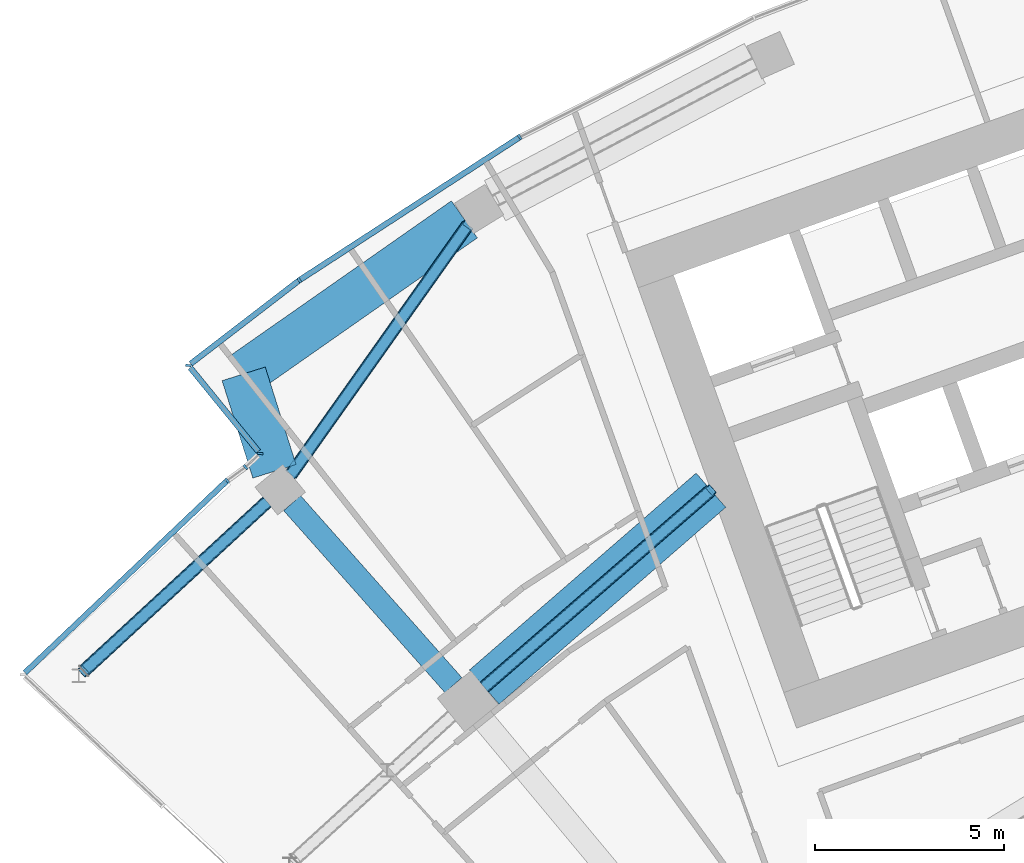
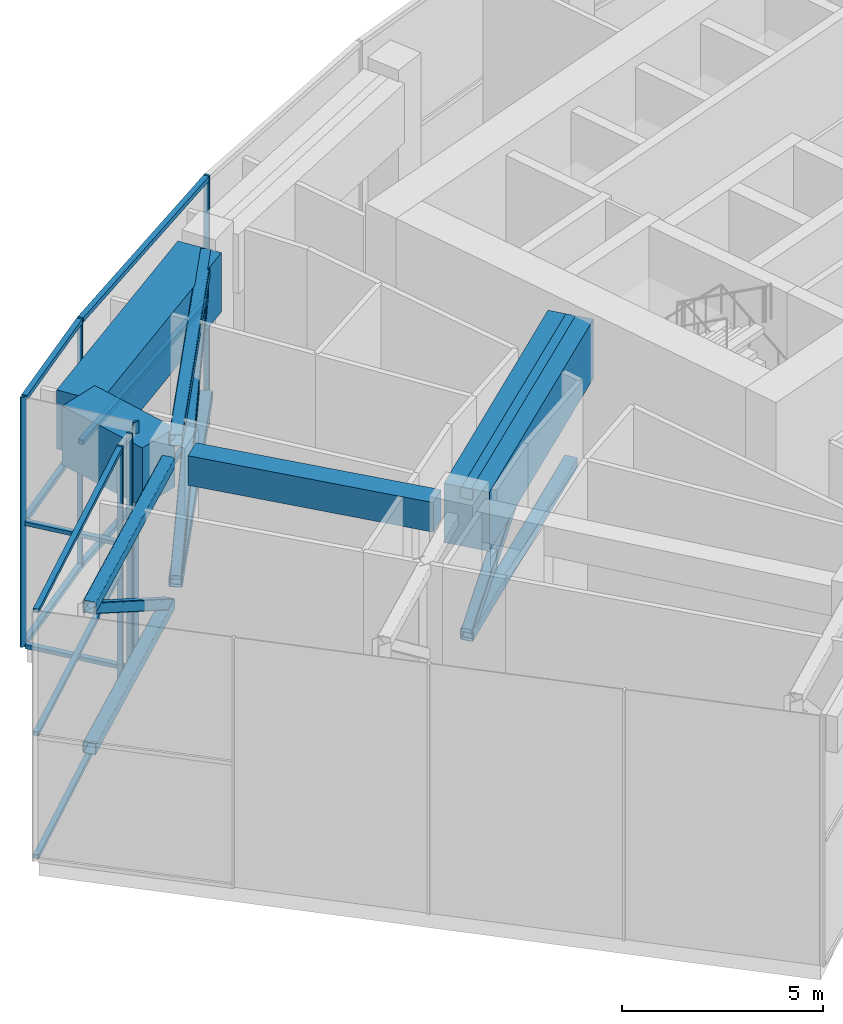
# One storey, part 4 of 26: 26 members, 4 beams, 5 elements without a shape of their own.
"""IFC4 building model written with IfcOpenShell, lengths in metres."""

from ifc_helpers import new_model, si_unit, direction, frame, origin, origin_2d, place, context, subcontext, project, spatial, rectangle, hollow_rectangle, extrude, material, layer, layer_set, material_profile, profile_set, type_object, element, aggregate, save


model = new_model("IFC4")

# Units and contexts
model_context = context("Model", 3, precision=1e-05, world=origin(), true_north=direction((0.0, 1.0)))
body_context = subcontext(model_context, "Body", "Model", "MODEL_VIEW")
ifc_project = project(units=[si_unit("LENGTHUNIT", "METRE"), si_unit("AREAUNIT", "SQUARE_METRE"), si_unit("VOLUMEUNIT", "CUBIC_METRE"), si_unit("PLANEANGLEUNIT", "RADIAN"), si_unit("MASSUNIT", "GRAM", prefix="KILO")], contexts=[model_context])

# Site, building, storey
site_placement = place(None, origin())
site = spatial("IfcSite", under=ifc_project, at=site_placement, CompositionType="ELEMENT")
building_placement = place(site_placement, origin())
building = spatial("IfcBuilding", under=site, at=building_placement, Name="Stone Belt Terrace Tower", CompositionType="ELEMENT")
storey_placement = place(building_placement, frame((0.0, 0.0, 250.39990234375)))
storey = spatial("IfcBuildingStorey", under=building, at=storey_placement, Name="L61", CompositionType="ELEMENT", Elevation=250.39990234375)

# Curtain wall, members
ifc_material_1 = material(Name="Aluminium 6063-T6 anodised frame", Category="aluminium")
ifc_layer_1 = layer(ifc_material_1, 0.14990234375)
ifc_layer_set_1 = layer_set([ifc_layer_1], Name="CW-A unitised convex-face curtain wall")
curtain_wall_type_1 = type_object("IfcCurtainWallType", Name="CW-A unitised convex-face curtain wall", PredefinedType="NOTDEFINED", material=ifc_layer_set_1)
curtain_wall_1_placement = place(storey_placement, origin())
curtain_wall_1 = element("IfcCurtainWall", 1, at=curtain_wall_1_placement, inside=storey, type_object=curtain_wall_type_1, Name="CW-A convex face L61", PredefinedType="NOTDEFINED")
ifc_material_profile_1 = material_profile(ifc_material_1, rectangle(XDim=0.14990234375, YDim=0.06005859375, at=origin_2d()), Name="Aluminium 6063-T6 60x150")
ifc_profile_set_1 = profile_set([ifc_material_profile_1], Name="Aluminium 6063-T6 anodised frame")
member_type_1 = type_object("IfcMemberType", Name="CW-A mullion 60 x 150", PredefinedType="MULLION", material=ifc_profile_set_1)
member_1_placement = place(storey_placement, frame((-33.28759765625, 57.65576171875, 0.0), z_axis=(0.0, 0.0, 1.0), x_axis=(0.5, -0.866025403784, 0.0)))
member_1 = element("IfcMember", 2, at=member_1_placement, type_object=member_type_1, Name="CW-A mullion 14", PredefinedType="MULLION", context=body_context, shape_type="SweptSolid", body=[
    extrude(rectangle(XDim=0.14990234375, YDim=0.06005859375, at=origin_2d()), origin(), (0.0, 0.0, 1.0), 7.60009765625),
])
member_2_placement = place(storey_placement, frame((-39.131103515625, 53.86083984375, 0.0), z_axis=(0.0, 0.0, 1.0), x_axis=(0.577587125789, -0.816329046477, 0.0)))
member_2 = element("IfcMember", 3, at=member_2_placement, type_object=member_type_1, Name="CW-A mullion 15", PredefinedType="MULLION", context=body_context, shape_type="SweptSolid", body=[
    extrude(rectangle(XDim=0.14990234375, YDim=0.06005859375, at=origin_2d()), origin(), (0.0, 0.0, 1.0), 7.60009765625),
])
ifc_material_profile_2 = material_profile(ifc_material_1, rectangle(XDim=0.14990234375, YDim=0.139892578125, at=origin_2d()), Name="Aluminium 6063-T6 150x140")
ifc_profile_set_2 = profile_set([ifc_material_profile_2], Name="Aluminium 6063-T6 anodised frame")
member_type_2 = type_object("IfcMemberType", Name="CW-A transom 140 x 150", PredefinedType="USERDEFINED", material=ifc_profile_set_2)
member_3_placement = place(storey_placement, frame((-33.31591796875, 57.63720703125, 0.070068359375), z_axis=(-0.83868440714, -0.544617723931, 0.0), x_axis=(0.544617723931, -0.83868440714, 0.0)))
member_3 = element("IfcMember", 4, at=member_3_placement, type_object=member_type_2, Name="CW-A transom 14.1", ObjectType="TRANSOM", PredefinedType="USERDEFINED", context=body_context, shape_type="SweptSolid", body=[
    extrude(rectangle(XDim=0.14990234375, YDim=0.139892578125, at=origin_2d()), origin(), (0.0, 0.0, 1.0), 6.90087890625),
])
member_4_placement = place(storey_placement, frame((-33.31591796875, 57.63720703125, 3.800048828125), z_axis=(-0.83868440714, -0.544617723931, 0.0), x_axis=(0.544617723931, -0.83868440714, 0.0)))
member_4 = element("IfcMember", 5, at=member_4_placement, type_object=member_type_2, Name="CW-A transom 14.2", ObjectType="TRANSOM", PredefinedType="USERDEFINED", context=body_context, shape_type="SweptSolid", body=[
    extrude(rectangle(XDim=0.14990234375, YDim=0.139892578125, at=origin_2d()), origin(), (0.0, 0.0, 1.0), 6.90087890625),
])
member_5_placement = place(storey_placement, frame((-33.31591796875, 57.63720703125, 7.530029296875), z_axis=(-0.83868440714, -0.544617723931, 0.0), x_axis=(0.544617723931, -0.83868440714, 0.0)))
member_5 = element("IfcMember", 6, at=member_5_placement, type_object=member_type_2, Name="CW-A transom 14.3", ObjectType="TRANSOM", PredefinedType="USERDEFINED", context=body_context, shape_type="SweptSolid", body=[
    extrude(rectangle(XDim=0.14990234375, YDim=0.139892578125, at=origin_2d()), origin(), (0.0, 0.0, 1.0), 6.90087890625),
])
member_6_placement = place(storey_placement, frame((-39.1572265625, 53.8408203125, 0.070068359375), z_axis=(-0.79269461464, -0.609618936648, 0.0), x_axis=(0.609618936648, -0.79269461464, 0.0)))
member_6 = element("IfcMember", 7, at=member_6_placement, type_object=member_type_2, Name="CW-A transom 15.1", ObjectType="TRANSOM", PredefinedType="USERDEFINED", context=body_context, shape_type="SweptSolid", body=[
    extrude(rectangle(XDim=0.14990234375, YDim=0.139892578125, at=origin_2d()), origin(), (0.0, 0.0, 1.0), 3.597900390625),
])
member_7_placement = place(storey_placement, frame((-39.1572265625, 53.8408203125, 3.800048828125), z_axis=(-0.79269461464, -0.609618936648, 0.0), x_axis=(0.609618936648, -0.79269461464, 0.0)))
member_7 = element("IfcMember", 8, at=member_7_placement, type_object=member_type_2, Name="CW-A transom 15.2", ObjectType="TRANSOM", PredefinedType="USERDEFINED", context=body_context, shape_type="SweptSolid", body=[
    extrude(rectangle(XDim=0.14990234375, YDim=0.139892578125, at=origin_2d()), origin(), (0.0, 0.0, 1.0), 3.597900390625),
])
member_8_placement = place(storey_placement, frame((-39.1572265625, 53.8408203125, 7.530029296875), z_axis=(-0.79269461464, -0.609618936648, 0.0), x_axis=(0.609618936648, -0.79269461464, 0.0)))
member_8 = element("IfcMember", 9, at=member_8_placement, type_object=member_type_2, Name="CW-A transom 15.3", ObjectType="TRANSOM", PredefinedType="USERDEFINED", context=body_context, shape_type="SweptSolid", body=[
    extrude(rectangle(XDim=0.14990234375, YDim=0.139892578125, at=origin_2d()), origin(), (0.0, 0.0, 1.0), 3.597900390625),
])
aggregate(curtain_wall_1, [member_1, member_2, member_3, member_4, member_5, member_6, member_7, member_8])

# Curtain wall, member
ifc_layer_2 = layer(ifc_material_1, 0.14990234375)
ifc_layer_set_2 = layer_set([ifc_layer_2], Name="CW-C stick curtain wall, horn ends and notches")
curtain_wall_type_2 = type_object("IfcCurtainWallType", Name="CW-C stick curtain wall, horn ends and notches", PredefinedType="NOTDEFINED", material=ifc_layer_set_2)
curtain_wall_2_placement = place(storey_placement, origin())
curtain_wall_2 = element("IfcCurtainWall", 10, at=curtain_wall_2_placement, inside=storey, type_object=curtain_wall_type_2, Name="CW-C notch face L61", PredefinedType="NOTDEFINED")
ifc_material_profile_3 = material_profile(ifc_material_1, rectangle(XDim=0.14990234375, YDim=0.06005859375, at=origin_2d()), Name="Aluminium 6063-T6 60x150")
ifc_profile_set_3 = profile_set([ifc_material_profile_3], Name="Aluminium 6063-T6 anodised frame")
member_type_3 = type_object("IfcMemberType", Name="CW-C mullion 60 x 150", PredefinedType="MULLION", material=ifc_profile_set_3)
member_9_placement = place(storey_placement, frame((-42.068359375, 51.60205078125, 0.0), z_axis=(0.0, 0.0, 1.0), x_axis=(0.993258004644, -0.115924700604, 0.0)))
member_9 = element("IfcMember", 11, at=member_9_placement, type_object=member_type_3, Name="CW-C mullion 1", PredefinedType="MULLION", context=body_context, shape_type="SweptSolid", body=[
    extrude(rectangle(XDim=0.14990234375, YDim=0.06005859375, at=origin_2d()), origin(), (0.0, 0.0, 1.0), 7.60009765625),
])

curtain_wall_3_placement = place(storey_placement, origin())
curtain_wall_3 = element("IfcCurtainWall", 12, at=curtain_wall_3_placement, inside=storey, type_object=curtain_wall_type_2, Name="CW-C end face L61", PredefinedType="NOTDEFINED")
member_10_placement = place(storey_placement, frame((-40.1708984375, 49.269287109375, 0.0), z_axis=(0.0, 0.0, 1.0), x_axis=(0.997639702696, -0.068666029474, 0.0)))
member_10 = element("IfcMember", 13, at=member_10_placement, type_object=member_type_3, Name="CW-C mullion 1", PredefinedType="MULLION", context=body_context, shape_type="SweptSolid", body=[
    extrude(rectangle(XDim=0.14990234375, YDim=0.06005859375, at=origin_2d()), origin(), (0.0, 0.0, 1.0), 7.60009765625),
])
aggregate(curtain_wall_3, [member_10])

curtain_wall_4_placement = place(storey_placement, origin())
curtain_wall_4 = element("IfcCurtainWall", 14, at=curtain_wall_4_placement, inside=storey, type_object=curtain_wall_type_2, Name="CW-C end face L61", PredefinedType="NOTDEFINED")
member_11_placement = place(storey_placement, frame((-40.557861328125, 48.908447265625, 0.0), z_axis=(0.0, 0.0, 1.0), x_axis=(0.63833309261, -0.76976026325, 0.0)))
member_11 = element("IfcMember", 15, at=member_11_placement, type_object=member_type_3, Name="CW-C mullion 1", PredefinedType="MULLION", context=body_context, shape_type="SweptSolid", body=[
    extrude(rectangle(XDim=0.14990234375, YDim=0.06005859375, at=origin_2d()), origin(), (0.0, 0.0, 1.0), 7.60009765625),
])
aggregate(curtain_wall_4, [member_11])

curtain_wall_5_placement = place(storey_placement, origin())
curtain_wall_5 = element("IfcCurtainWall", 16, at=curtain_wall_5_placement, inside=storey, type_object=curtain_wall_type_2, Name="CW-C notch face L61", PredefinedType="NOTDEFINED")
member_12_placement = place(storey_placement, frame((-41.044189453125, 48.550537109375, 0.0), z_axis=(0.0, 0.0, 1.0), x_axis=(0.641977391238, -0.766723567617, 0.0)))
member_12 = element("IfcMember", 17, at=member_12_placement, type_object=member_type_3, Name="CW-C mullion 1", PredefinedType="MULLION", context=body_context, shape_type="SweptSolid", body=[
    extrude(rectangle(XDim=0.14990234375, YDim=0.06005859375, at=origin_2d()), origin(), (0.0, 0.0, 1.0), 7.60009765625),
])

# Member
ifc_material_profile_4 = material_profile(ifc_material_1, rectangle(XDim=0.14990234375, YDim=0.1201171875, at=origin_2d()), Name="Aluminium 6063-T6 150x120")
ifc_profile_set_4 = profile_set([ifc_material_profile_4], Name="Aluminium 6063-T6 anodised frame")
member_type_4 = type_object("IfcMemberType", Name="CW-C transom 120 x 150", PredefinedType="USERDEFINED", material=ifc_profile_set_4)
member_13_placement = place(storey_placement, frame((-42.021240234375, 51.5439453125, 0.06005859375), z_axis=(0.631026504781, -0.775761271439, 0.0), x_axis=(0.775761271439, 0.631026504781, 0.0)))
member_13 = element("IfcMember", 18, at=member_13_placement, type_object=member_type_4, Name="CW-C transom 1.1", ObjectType="TRANSOM", PredefinedType="USERDEFINED", context=body_context, shape_type="SweptSolid", body=[
    extrude(rectangle(XDim=0.14990234375, YDim=0.1201171875, at=origin_2d()), origin(), (0.0, 0.0, 1.0), 2.859130859375),
])

member_14_placement = place(storey_placement, frame((-42.021240234375, 51.5439453125, 3.800048828125), z_axis=(0.631026504781, -0.775761271439, 0.0), x_axis=(0.775761271439, 0.631026504781, 0.0)))
member_14 = element("IfcMember", 19, at=member_14_placement, type_object=member_type_4, Name="CW-C transom 1.2", ObjectType="TRANSOM", PredefinedType="USERDEFINED", context=body_context, shape_type="SweptSolid", body=[
    extrude(rectangle(XDim=0.14990234375, YDim=0.1201171875, at=origin_2d()), origin(), (0.0, 0.0, 1.0), 2.859130859375),
])

aggregate(curtain_wall_2, [member_9, member_13, member_14])

member_15_placement = place(storey_placement, frame((-41.0693359375, 48.52685546875, 0.06005859375), z_axis=(-0.724842047374, -0.688915093722, 0.0), x_axis=(0.688915093722, -0.724842047374, 0.0)))
member_15 = element("IfcMember", 20, at=member_15_placement, type_object=member_type_4, Name="CW-C transom 1.1", ObjectType="TRANSOM", PredefinedType="USERDEFINED", context=body_context, shape_type="SweptSolid", body=[
    extrude(rectangle(XDim=0.14990234375, YDim=0.1201171875, at=origin_2d()), origin(), (0.0, 0.0, 1.0), 7.359375),
])

member_16_placement = place(storey_placement, frame((-41.0693359375, 48.52685546875, 3.800048828125), z_axis=(-0.724842047374, -0.688915093722, 0.0), x_axis=(0.688915093722, -0.724842047374, 0.0)))
member_16 = element("IfcMember", 21, at=member_16_placement, type_object=member_type_4, Name="CW-C transom 1.2", ObjectType="TRANSOM", PredefinedType="USERDEFINED", context=body_context, shape_type="SweptSolid", body=[
    extrude(rectangle(XDim=0.14990234375, YDim=0.1201171875, at=origin_2d()), origin(), (0.0, 0.0, 1.0), 7.359375),
])

member_17_placement = place(storey_placement, frame((-41.0693359375, 48.52685546875, 7.5400390625), z_axis=(-0.724842047374, -0.688915093722, 0.0), x_axis=(0.688915093722, -0.724842047374, 0.0)))
member_17 = element("IfcMember", 22, at=member_17_placement, type_object=member_type_4, Name="CW-C transom 1.3", ObjectType="TRANSOM", PredefinedType="USERDEFINED", context=body_context, shape_type="SweptSolid", body=[
    extrude(rectangle(XDim=0.14990234375, YDim=0.1201171875, at=origin_2d()), origin(), (0.0, 0.0, 1.0), 7.359375),
])

aggregate(curtain_wall_5, [member_12, member_15, member_16, member_17])

# Beam
ifc_material_2 = material(Name="Concrete B60", Category="concrete")
ifc_material_profile_5 = material_profile(ifc_material_2, rectangle(XDim=0.60009765625, YDim=0.89990234375, at=origin_2d()), Name="RC 600x900")
ifc_profile_set_5 = profile_set([ifc_material_profile_5], Name="Concrete B60")
beam_type_1 = type_object("IfcBeamType", Name="Edge beam RC 600x900 B60", PredefinedType="SPANDREL", material=ifc_profile_set_5)
beam_1_placement = place(storey_placement, frame((-35.046875, 43.131103515625, 6.800048828125), z_axis=(-0.663260257575, 0.748388823221, 0.0), x_axis=(-0.748388823221, -0.663260257575, 0.0)))
element("IfcBeam", 23, at=beam_1_placement, inside=storey, type_object=beam_type_1, Name="Edge beam L61 A Q to R", PredefinedType="SPANDREL", context=body_context, shape_type="SweptSolid", body=[
    extrude(rectangle(XDim=0.60009765625, YDim=0.89990234375, at=origin_2d()), origin(), (0.0, 0.0, 1.0), 6.444091796875),
])

# Members
ifc_material_3 = material(Name="Structural steel C345", Category="steel")
ifc_material_profile_6 = material_profile(ifc_material_3, hollow_rectangle(XDim=0.35009765625, YDim=0.35009765625, WallThickness=0.01611328125, InnerFilletRadius=0.031982421875, OuterFilletRadius=0.048095703125, at=origin_2d()), Name="SHS 350x350x16")
ifc_profile_set_6 = profile_set([ifc_material_profile_6], Name="Structural steel C345")
member_type_5 = type_object("IfcMemberType", Name="Outrigger chord SHS 350x350x16", PredefinedType="CHORD", material=ifc_profile_set_6)
for number, where, z_axis, x_axis, name in (
    (24, (-34.230712890625, 43.07763671875, 7.0751953125), (0.754994352979, 0.655731291742, 0.0), (-0.655731291742, 0.754994352979, 0.0), "Outrigger T4 Qw top chord 2"),
    (25, (-34.230712890625, 43.07763671875, 2.775146484375), (0.754994352979, 0.655731291742, 0.0), (-0.655731291742, 0.754994352979, 0.0), "Outrigger T4 Qw bot chord 2"),
):
    element("IfcMember", number, at=place(storey_placement, frame(where, z_axis=z_axis, x_axis=x_axis)), inside=storey, type_object=member_type_5, Name=name, PredefinedType="CHORD", context=body_context, shape_type="SweptSolid", body=[
        extrude(hollow_rectangle(XDim=0.35009765625, YDim=0.35009765625, WallThickness=0.01611328125, InnerFilletRadius=0.031982421875, OuterFilletRadius=0.048095703125, at=origin_2d()), origin(), (0.0, 0.0, 1.0), 7.958984375),
    ])
for number, where, z_axis, x_axis, name in (
    (26, (-44.83447265625, 43.5126953125, 7.0751953125), (0.734902750058, 0.678172506046, 0.0), (-0.678172506046, 0.734902750058, 0.0), "Outrigger T4 Rw top chord 1"),
    (27, (-44.83447265625, 43.5126953125, 2.775146484375), (0.734902750058, 0.678172506046, 0.0), (-0.678172506046, 0.734902750058, 0.0), "Outrigger T4 Rw bot chord 1"),
):
    element("IfcMember", number, at=place(storey_placement, frame(where, z_axis=z_axis, x_axis=x_axis)), inside=storey, type_object=member_type_5, Name=name, PredefinedType="CHORD", context=body_context, shape_type="SweptSolid", body=[
        extrude(hollow_rectangle(XDim=0.35009765625, YDim=0.35009765625, WallThickness=0.01611328125, InnerFilletRadius=0.031982421875, OuterFilletRadius=0.048095703125, at=origin_2d()), origin(), (0.0, 0.0, 1.0), 6.597412109375),
    ])
for number, where, z_axis, x_axis, name in (
    (28, (-39.3515625, 48.71142578125, 7.0751953125), (0.578151852141, 0.81592918557, 0.0), (-0.81592918557, 0.578151852141, 0.0), "Outrigger T4 Rw top chord 2"),
    (29, (-39.3515625, 48.71142578125, 2.775146484375), (0.578151852141, 0.81592918557, 0.0), (-0.81592918557, 0.578151852141, 0.0), "Outrigger T4 Rw bot chord 2"),
):
    element("IfcMember", number, at=place(storey_placement, frame(where, z_axis=z_axis, x_axis=x_axis)), inside=storey, type_object=member_type_5, Name=name, PredefinedType="CHORD", context=body_context, shape_type="SweptSolid", body=[
        extrude(hollow_rectangle(XDim=0.35009765625, YDim=0.35009765625, WallThickness=0.01611328125, InnerFilletRadius=0.031982421875, OuterFilletRadius=0.048095703125, at=origin_2d()), origin(), (0.0, 0.0, 1.0), 8.107421875),
    ])
ifc_material_profile_7 = material_profile(ifc_material_3, hollow_rectangle(XDim=0.300048828125, YDim=0.300048828125, WallThickness=0.011962890625, InnerFilletRadius=0.02392578125, OuterFilletRadius=0.035888671875, at=origin_2d()), Name="SHS 300x300x12")
ifc_profile_set_7 = profile_set([ifc_material_profile_7], Name="Structural steel C345")
member_type_6 = type_object("IfcMemberType", Name="Outrigger diagonal SHS 300x300x12", PredefinedType="BRACE", material=ifc_profile_set_7)
member_18_placement = place(storey_placement, frame((-34.230712890625, 43.07763671875, 2.775146484375), z_axis=(0.664248044694, 0.576915875815, 0.475334205956), x_axis=(-0.655731291742, 0.754994352979, 0.0)))
element("IfcMember", 30, at=member_18_placement, inside=storey, type_object=member_type_6, Name="Outrigger T4 Qw diagonal 2", PredefinedType="BRACE", context=body_context, shape_type="SweptSolid", body=[
    extrude(hollow_rectangle(XDim=0.300048828125, YDim=0.300048828125, WallThickness=0.011962890625, InnerFilletRadius=0.02392578125, OuterFilletRadius=0.035888671875, at=origin_2d()), origin(), (0.0, 0.0, 1.0), 9.04638671875),
])
member_19_placement = place(storey_placement, frame((-44.84912109375, 43.4990234375, 7.0751953125), z_axis=(0.616217254881, 0.568668385924, -0.544878483368), x_axis=(-0.678185092125, 0.734891135352, 0.0)))
element("IfcMember", 31, at=member_19_placement, inside=storey, type_object=member_type_6, Name="Outrigger T4 Rw diagonal 1", PredefinedType="BRACE", context=body_context, shape_type="SweptSolid", body=[
    extrude(hollow_rectangle(XDim=0.300048828125, YDim=0.300048828125, WallThickness=0.011962890625, InnerFilletRadius=0.02392578125, OuterFilletRadius=0.035888671875, at=origin_2d()), origin(), (0.0, 0.0, 1.0), 7.891845703125),
])
member_20_placement = place(storey_placement, frame((-39.3515625, 48.71142578125, 2.775146484375), z_axis=(0.51075652269, 0.720816083248, 0.468563708221), x_axis=(-0.81592918557, 0.578151852141, 0.0)))
element("IfcMember", 32, at=member_20_placement, inside=storey, type_object=member_type_6, Name="Outrigger T4 Rw diagonal 2", PredefinedType="BRACE", context=body_context, shape_type="SweptSolid", body=[
    extrude(hollow_rectangle(XDim=0.300048828125, YDim=0.300048828125, WallThickness=0.011962890625, InnerFilletRadius=0.02392578125, OuterFilletRadius=0.035888671875, at=origin_2d()), origin(), (0.0, 0.0, 1.0), 9.177001953125),
])

# Beams
ifc_material_4 = material(Name="Concrete B80", Category="concrete")
ifc_material_profile_8 = material_profile(ifc_material_4, rectangle(XDim=1.199951171875, YDim=1.800048828125, at=origin_2d()), Name="RC 1200x1800")
ifc_profile_set_8 = profile_set([ifc_material_profile_8], Name="Concrete B80")
beam_type_2 = type_object("IfcBeamType", Name="Transfer girder RC 1200x1800 B80", PredefinedType="BEAM", material=ifc_profile_set_8)
beam_2_placement = place(storey_placement, frame((-34.230712890625, 43.07763671875, 6.35009765625), z_axis=(0.754994352979, 0.655731291742, 0.0), x_axis=(-0.655731291742, 0.754994352979, 0.0)))
element("IfcBeam", 33, at=beam_2_placement, inside=storey, type_object=beam_type_2, Name="Transfer beam L61 QQA-WAw", PredefinedType="BEAM", context=body_context, shape_type="SweptSolid", body=[
    extrude(rectangle(XDim=1.199951171875, YDim=1.800048828125, at=origin_2d()), origin(), (0.0, 0.0, 1.0), 7.958984375),
])
beam_3_placement = place(storey_placement, frame((-39.790283203125, 48.797607421875, 6.35009765625), z_axis=(-0.301045093054, 0.953609905542, 0.0), x_axis=(-0.953609905542, -0.301045093054, 0.0)))
element("IfcBeam", 34, at=beam_3_placement, inside=storey, type_object=beam_type_2, Name="Transfer beam L61 RRA-RNA", PredefinedType="BEAM", context=body_context, shape_type="SweptSolid", body=[
    extrude(rectangle(XDim=1.199951171875, YDim=1.800048828125, at=origin_2d()), origin(), (0.0, 0.0, 1.0), 2.708740234375),
])
beam_4_placement = place(storey_placement, frame((-40.605712890625, 51.380615234375, 6.35009765625), z_axis=(0.819302592535, 0.573361371097, 0.0), x_axis=(-0.573361371097, 0.819302592535, 0.0)))
element("IfcBeam", 35, at=beam_4_placement, inside=storey, type_object=beam_type_2, Name="Transfer beam L61 RRNA-RNA", PredefinedType="BEAM", context=body_context, shape_type="SweptSolid", body=[
    extrude(rectangle(XDim=1.199951171875, YDim=1.800048828125, at=origin_2d()), origin(), (0.0, 0.0, 1.0), 7.140380859375),
])

save(model, "model.ifc")
